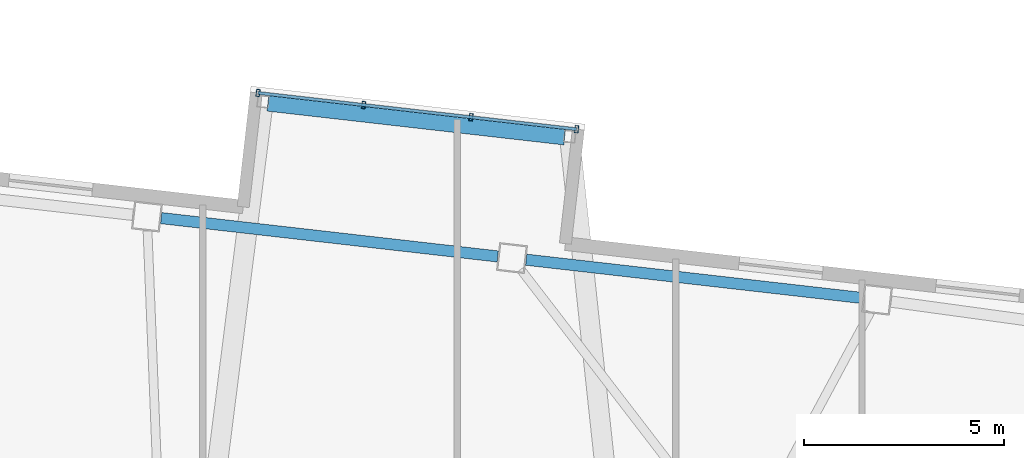
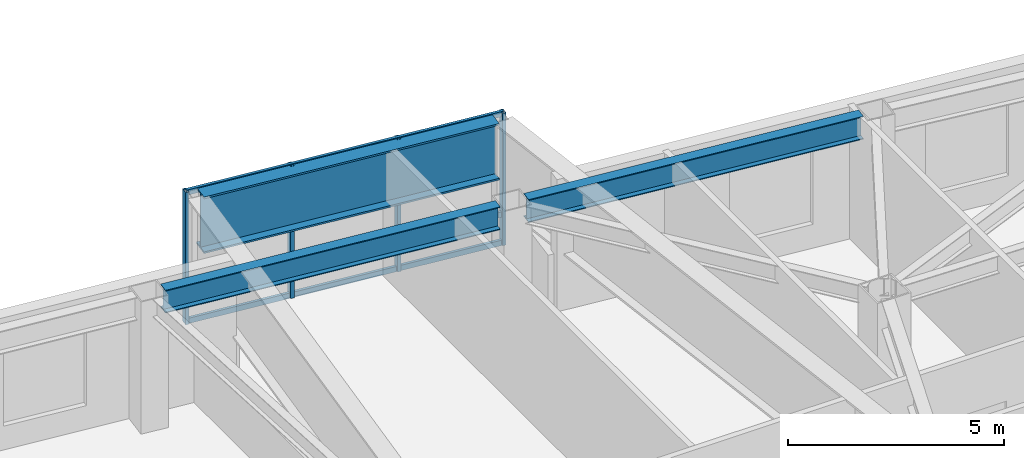
# One storey, part 11 of 23: 7 members, 3 beams, 1 element without a shape of its own.
"""IFC4 building model written with IfcOpenShell, lengths in metres."""

import ifcopenshell
import ifcopenshell.guid

model = None  # the IFC model being written
_history = None  # IfcOwnerHistory: only IFC2X3 demands one
_inside = {}  # id of a spatial element -> (the spatial element, [elements in it])
_under = {}  # id of a project, library or spatial element -> (it, [spatial elements below it])
_declared = {}  # id of a project -> (the project, [libraries it declares])
_typed = {}  # id of a type object -> (the type object, [elements of that type])
_made_of = {}  # id of a material, layer set ... -> (it, [elements and type objects made of it])


def new_model(schema):
    """Start an empty IFC model of exactly this schema.

    Asked for "IFC4X3", IfcOpenShell would pick the latest addendum, in which some entities
    have other attributes; the version numbers below select the first issue.
    IFC2X3 requires an IfcOwnerHistory on every rooted entity: one is made here for all.
    """
    global model, _history
    if schema == "IFC4X3":
        model = ifcopenshell.file(schema_version=(4, 3, 0, 0))
    else:
        model = ifcopenshell.file(schema=schema)
    _inside.clear()
    _under.clear()
    _declared.clear()
    _typed.clear()
    _made_of.clear()
    _history = None
    if model.schema == "IFC2X3":
        org = make("IfcOrganization", Name="unknown")
        user = make(
            "IfcPersonAndOrganization",
            ThePerson=make("IfcPerson", FamilyName="unknown"),
            TheOrganization=org,
        )
        app = make(
            "IfcApplication",
            ApplicationDeveloper=org,
            Version="unknown",
            ApplicationFullName="unknown",
            ApplicationIdentifier="unknown",
        )
        _history = make(
            "IfcOwnerHistory",
            OwningUser=user,
            OwningApplication=app,
            ChangeAction="ADDED",
            CreationDate=0,
        )
    return model


def make(cls, **values):
    """One entity of the class cls with the attributes given. An attribute that is None is left unset."""
    return model.create_entity(
        cls, **{name: value for name, value in values.items() if value is not None}
    )


def rooted(cls, **values):
    """An entity with a GlobalId (a new one), such as an element, a storey or a relation."""
    return make(cls, GlobalId=ifcopenshell.guid.new(), OwnerHistory=_history, **values)


def si_unit(unit_type, name, prefix=None):
    """IfcSIUnit, for example si_unit("LENGTHUNIT", "METRE", prefix="MILLI")."""
    return make("IfcSIUnit", UnitType=unit_type, Prefix=prefix, Name=name)


def assignment(units):
    """IfcUnitAssignment: the units of a project."""
    return None if units is None else make("IfcUnitAssignment", Units=units)


def point(xyz):
    """IfcCartesianPoint."""
    return None if xyz is None else make("IfcCartesianPoint", Coordinates=xyz)


def direction(xyz):
    """IfcDirection."""
    return None if xyz is None else make("IfcDirection", DirectionRatios=xyz)


def frame(location, z_axis=None, x_axis=None):
    """IfcAxis2Placement3D, a coordinate frame: its origin and axes. An axis left out is left unset."""
    return make(
        "IfcAxis2Placement3D",
        Location=point(location),
        Axis=direction(z_axis),
        RefDirection=direction(x_axis),
    )


def frame_2d(location, x_axis=None):
    """IfcAxis2Placement2D, a coordinate frame in the plane: its origin and x axis."""
    return make(
        "IfcAxis2Placement2D", Location=point(location), RefDirection=direction(x_axis)
    )


def origin():
    """The frame at (0, 0, 0) with its axes left unset."""
    return frame((0.0, 0.0, 0.0))


def origin_2d():
    """The frame at (0, 0) in the plane with its x axis left unset."""
    return frame_2d((0.0, 0.0))


def place(relative_to, where):
    """IfcLocalPlacement: puts the frame where relative to a parent placement (None: the world)."""
    return make(
        "IfcLocalPlacement", PlacementRelTo=relative_to, RelativePlacement=where
    )


def context(
    kind, dimensions, precision=None, world=None, true_north=None, identifier=None
):
    """IfcGeometricRepresentationContext, for example the 3D "Model" context."""
    return make(
        "IfcGeometricRepresentationContext",
        ContextIdentifier=identifier,
        ContextType=kind,
        CoordinateSpaceDimension=dimensions,
        Precision=precision,
        WorldCoordinateSystem=world,
        TrueNorth=true_north,
    )


def subcontext(parent, identifier, kind, view, scale=None):
    """IfcGeometricRepresentationSubContext, for example "Body" below "Model"."""
    return make(
        "IfcGeometricRepresentationSubContext",
        ContextIdentifier=identifier,
        ContextType=kind,
        ParentContext=parent,
        TargetScale=scale,
        TargetView=view,
    )


def project(units=None, contexts=None):
    """IfcProject with its units and contexts."""
    return rooted(
        "IfcProject",
        Name="project",
        RepresentationContexts=contexts,
        UnitsInContext=assignment(units),
    )


def spatial(cls, under=None, at=None, **own):
    """A site, building, storey or space (cls), placed at a placement, below another one or the project."""
    s = rooted(cls, ObjectPlacement=at, **own)
    if under is not None:
        _under.setdefault(under.id(), (under, []))[1].append(s)
    return s


def profile(cls, at=None, kind="AREA", **sizes):
    """A parametric profile (cls). Its sizes go by their IFC names, for example OverallWidth=200.0."""
    return make(cls, ProfileType=kind, Position=at, **sizes)


def hollow_rectangle(**sizes):
    """IfcRectangleHollowProfileDef."""
    return profile("IfcRectangleHollowProfileDef", **sizes)


def i_section(**sizes):
    """IfcIShapeProfileDef."""
    return profile("IfcIShapeProfileDef", **sizes)


def extrude(swept, where, along, depth):
    """IfcExtrudedAreaSolid: the profile swept, set in the frame where, extruded along a direction by depth."""
    return make(
        "IfcExtrudedAreaSolid",
        SweptArea=swept,
        Position=where,
        ExtrudedDirection=direction(along),
        Depth=depth,
    )


def shape(context_of_items, identifier, shape_type, items):
    """IfcShapeRepresentation: the items that make up one representation, for example the "Body"."""
    return make(
        "IfcShapeRepresentation",
        ContextOfItems=context_of_items,
        RepresentationIdentifier=identifier,
        RepresentationType=shape_type,
        Items=items,
    )


def material(Name=None, Category=None):
    """IfcMaterial."""
    return make("IfcMaterial", Name=Name, Category=Category)


def layer(
    of_material, thickness, ventilated=None, Name=None, Category=None, Priority=None
):
    """IfcMaterialLayer: one layer of a wall or slab, of a material (None: an air gap)."""
    return make(
        "IfcMaterialLayer",
        Material=of_material,
        LayerThickness=thickness,
        IsVentilated=ventilated,
        Name=Name,
        Category=Category,
        Priority=Priority,
    )


def layer_set(layers, Name=None):
    """IfcMaterialLayerSet."""
    return make("IfcMaterialLayerSet", MaterialLayers=layers, LayerSetName=Name)


def material_profile(
    of_material, cross_section, Name=None, Category=None, Priority=None
):
    """IfcMaterialProfile: a cross section and its material."""
    return make(
        "IfcMaterialProfile",
        Name=Name,
        Material=of_material,
        Profile=cross_section,
        Priority=Priority,
        Category=Category,
    )


def profile_set(profiles, Name=None, composite=None):
    """IfcMaterialProfileSet."""
    return make(
        "IfcMaterialProfileSet",
        Name=Name,
        MaterialProfiles=profiles,
        CompositeProfile=composite,
    )


def made_of(thing, what):
    """Note that an element or type object is made of a material, layer set ...; save() writes the relation."""
    if what is not None:
        _made_of.setdefault(what.id(), (what, []))[1].append(thing)
    return thing


def type_object(cls, material=None, **own):
    """A type object (cls), such as IfcWallType, which elements share."""
    return made_of(rooted(cls, **own), material)


def element(
    cls,
    number,
    at=None,
    inside=None,
    cuts=None,
    type_object=None,
    material=None,
    context=None,
    identifier="Body",
    shape_type=None,
    held_by="IfcProductDefinitionShape",
    body=None,
    shapes=None,
    **own,
):
    """One element of the class cls, such as IfcWall. Its Tag is "e" and its number.

    at: its placement. inside: the storey or other place that contains it. cuts: it is an
    opening in that element (IfcRelVoidsElement). A single representation is given by context,
    identifier, shape_type and body (its items); several are given by shapes. held_by: the class
    of the entity that holds the representations. save() writes the other relations.
    """
    e = rooted(cls, Tag="e%d" % number, ObjectPlacement=at, **own)
    if body is not None:
        shapes = [shape(context, identifier, shape_type, body)]
    if shapes is not None:
        e.Representation = make(held_by, Representations=shapes)
    if inside is not None:
        _inside.setdefault(inside.id(), (inside, []))[1].append(e)
    if cuts is not None:
        rooted(
            "IfcRelVoidsElement", RelatingBuildingElement=cuts, RelatedOpeningElement=e
        )
    if type_object is not None:
        _typed.setdefault(type_object.id(), (type_object, []))[1].append(e)
    return made_of(e, material)


def aggregate(whole, parts):
    """IfcRelAggregates: a whole, such as a stair, and the parts it consists of."""
    return rooted("IfcRelAggregates", RelatingObject=whole, RelatedObjects=parts)


def save(model, path):
    """Write the relations noted so far, then the file.

    IfcRelAggregates (storeys below a building ...), IfcRelContainedInSpatialStructure (elements
    in a storey), IfcRelDefinesByType, IfcRelAssociatesMaterial and IfcRelDeclares: one each for
    every whole, place, type object, material and project.
    """
    for whole, parts in _under.values():
        aggregate(whole, parts)
    for where, things in _inside.values():
        rooted(
            "IfcRelContainedInSpatialStructure",
            RelatedElements=things,
            RelatingStructure=where,
        )
    for kind, things in _typed.values():
        rooted("IfcRelDefinesByType", RelatedObjects=things, RelatingType=kind)
    for what, things in _made_of.values():
        rooted("IfcRelAssociatesMaterial", RelatedObjects=things, RelatingMaterial=what)
    for by, libraries in _declared.values():
        rooted("IfcRelDeclares", RelatingContext=by, RelatedDefinitions=libraries)
    model.write(path)


model = new_model("IFC4")

# Units and contexts
model_context = context("Model", 3, precision=1e-05, world=origin(), true_north=direction((0.0, 1.0)))
body_context = subcontext(model_context, "Body", "Model", "MODEL_VIEW")
ifc_project = project(units=[si_unit("LENGTHUNIT", "METRE"), si_unit("AREAUNIT", "SQUARE_METRE"), si_unit("VOLUMEUNIT", "CUBIC_METRE"), si_unit("PLANEANGLEUNIT", "RADIAN"), si_unit("MASSUNIT", "GRAM", prefix="KILO")], contexts=[model_context])

# Site, building, storey
site_placement = place(None, origin())
site = spatial("IfcSite", under=ifc_project, at=site_placement, CompositionType="ELEMENT")
building_placement = place(site_placement, origin())
building = spatial("IfcBuilding", under=site, at=building_placement, Name="Tavrogorsk Clinical Tower", CompositionType="ELEMENT")
storey_placement = place(building_placement, frame((0.0, 0.0, 113.39990234375)))
storey = spatial("IfcBuildingStorey", under=building, at=storey_placement, Name="L25", CompositionType="ELEMENT", Elevation=113.39990234375)

# Curtain wall, members
ifc_material_1 = material(Name="Anodised aluminium and triple IGU glazing", Category="aluminium")
ifc_layer = layer(ifc_material_1, 0.179931640625)
ifc_layer_set = layer_set([ifc_layer], Name="Anodised aluminium and triple IGU glazing")
curtain_wall_type = type_object("IfcCurtainWallType", Name="CW4_DayroomBox", PredefinedType="NOTDEFINED", material=ifc_layer_set)
curtain_wall_placement = place(storey_placement, origin())
curtain_wall = element("IfcCurtainWall", 1, at=curtain_wall_placement, inside=storey, type_object=curtain_wall_type, Name="L25 Curtain Wall CW-DRB-04-L25", PredefinedType="NOTDEFINED")
ifc_material_2 = material(Name="Anodised aluminium alloy AW-6060", Category="aluminium")
ifc_material_profile_1 = material_profile(ifc_material_2, hollow_rectangle(XDim=0.090087890625, YDim=0.179931640625, WallThickness=0.00634765625, at=origin_2d()), Name="RHS-180x90x6.3")
ifc_profile_set_1 = profile_set([ifc_material_profile_1], Name="Anodised aluminium alloy AW-6060")
member_type_1 = type_object("IfcMemberType", Name="CwMullion_180x90", PredefinedType="MULLION", material=ifc_profile_set_1)
member_1_placement = place(storey_placement, frame((12.463134765625, 24.7314453125, 0.0), z_axis=(0.0, 0.0, 1.0), x_axis=(0.993571856066, -0.113203210352, 0.0)))
member_1 = element("IfcMember", 2, at=member_1_placement, type_object=member_type_1, Name="CW-DRB-04-L25 Mullion 1", PredefinedType="MULLION", context=body_context, shape_type="SweptSolid", body=[
    extrude(hollow_rectangle(XDim=0.090087890625, YDim=0.179931640625, WallThickness=0.00634765625, at=origin_2d()), origin(), (0.0, 0.0, 1.0), 3.739990234375),
])
member_2_placement = place(storey_placement, frame((15.10107421875, 24.430908203125, 0.0), z_axis=(0.0, 0.0, 1.0), x_axis=(0.993571856066, -0.113203210352, 0.0)))
member_2 = element("IfcMember", 3, at=member_2_placement, type_object=member_type_1, Name="CW-DRB-04-L25 Mullion 2", PredefinedType="MULLION", context=body_context, shape_type="SweptSolid", body=[
    extrude(hollow_rectangle(XDim=0.090087890625, YDim=0.179931640625, WallThickness=0.00634765625, at=origin_2d()), origin(), (0.0, 0.0, 1.0), 3.739990234375),
])
member_3_placement = place(storey_placement, frame((17.78369140625, 24.125244140625, 0.0), z_axis=(0.0, 0.0, 1.0), x_axis=(0.993571856066, -0.113203210352, 0.0)))
member_3 = element("IfcMember", 4, at=member_3_placement, type_object=member_type_1, Name="CW-DRB-04-L25 Mullion 3", PredefinedType="MULLION", context=body_context, shape_type="SweptSolid", body=[
    extrude(hollow_rectangle(XDim=0.090087890625, YDim=0.179931640625, WallThickness=0.00634765625, at=origin_2d()), origin(), (0.0, 0.0, 1.0), 3.739990234375),
])
member_4_placement = place(storey_placement, frame((20.421630859375, 23.82470703125, 0.0), z_axis=(0.0, 0.0, 1.0), x_axis=(0.993571856066, -0.113203210352, 0.0)))
member_4 = element("IfcMember", 5, at=member_4_placement, type_object=member_type_1, Name="CW-DRB-04-L25 Mullion 4", PredefinedType="MULLION", context=body_context, shape_type="SweptSolid", body=[
    extrude(hollow_rectangle(XDim=0.090087890625, YDim=0.179931640625, WallThickness=0.00634765625, at=origin_2d()), origin(), (0.0, 0.0, 1.0), 3.739990234375),
])
ifc_material_3 = material(Name="Anodised aluminium alloy AW-6060", Category="aluminium")
ifc_material_profile_2 = material_profile(ifc_material_3, hollow_rectangle(XDim=0.074951171875, YDim=0.14990234375, WallThickness=0.0048828125, at=origin_2d()), Name="RHS-150x75x5")
ifc_profile_set_2 = profile_set([ifc_material_profile_2], Name="Anodised aluminium alloy AW-6060")
member_type_2 = type_object("IfcMemberType", Name="CwTransom_150x75", PredefinedType="USERDEFINED", material=ifc_profile_set_2)
member_5_placement = place(storey_placement, frame((12.463134765625, 24.7314453125, 0.050048828125), z_axis=(0.993572105794, -0.113201018496, 0.0), x_axis=(0.113201018496, 0.993572105794, 0.0)))
member_5 = element("IfcMember", 6, at=member_5_placement, type_object=member_type_2, Name="CW-DRB-04-L25 Transom 1", ObjectType="TRANSOM", PredefinedType="USERDEFINED", context=body_context, shape_type="SweptSolid", body=[
    extrude(hollow_rectangle(XDim=0.074951171875, YDim=0.14990234375, WallThickness=0.0048828125, at=origin_2d()), origin(), (0.0, 0.0, 1.0), 8.010009765625),
])
member_6_placement = place(storey_placement, frame((12.463134765625, 24.7314453125, 0.85009765625), z_axis=(0.993572105794, -0.113201018496, 0.0), x_axis=(0.113201018496, 0.993572105794, 0.0)))
member_6 = element("IfcMember", 7, at=member_6_placement, type_object=member_type_2, Name="CW-DRB-04-L25 Transom 2", ObjectType="TRANSOM", PredefinedType="USERDEFINED", context=body_context, shape_type="SweptSolid", body=[
    extrude(hollow_rectangle(XDim=0.074951171875, YDim=0.14990234375, WallThickness=0.0048828125, at=origin_2d()), origin(), (0.0, 0.0, 1.0), 8.010009765625),
])
member_7_placement = place(storey_placement, frame((12.463134765625, 24.7314453125, 3.690185546875), z_axis=(0.993572105794, -0.113201018496, 0.0), x_axis=(0.113201018496, 0.993572105794, 0.0)))
member_7 = element("IfcMember", 8, at=member_7_placement, type_object=member_type_2, Name="CW-DRB-04-L25 Transom 3", ObjectType="TRANSOM", PredefinedType="USERDEFINED", context=body_context, shape_type="SweptSolid", body=[
    extrude(hollow_rectangle(XDim=0.074951171875, YDim=0.14990234375, WallThickness=0.0048828125, at=origin_2d()), origin(), (0.0, 0.0, 1.0), 8.010009765625),
])
aggregate(curtain_wall, [member_1, member_2, member_3, member_4, member_5, member_6, member_7])

# Beams
ifc_material_4 = material(Name="Structural steel S390", Category="steel")
ifc_material_profile_3 = material_profile(ifc_material_4, i_section(OverallWidth=0.280029296875, OverallDepth=0.64990234375, WebThickness=0.01611328125, FlangeThickness=0.02490234375, at=origin_2d()), Name="B-650x280x16x25")
ifc_profile_set_3 = profile_set([ifc_material_profile_3], Name="Structural steel S390")
beam_type_1 = type_object("IfcBeamType", Name="SpandrelBeam_B650", PredefinedType="SPANDREL", material=ifc_profile_set_3)
beam_1_placement = place(storey_placement, frame((27.5703125, 19.608154296875, 3.4150390625), z_axis=(-0.993569819641, 0.113221082395, 0.0), x_axis=(-0.113221082395, -0.993569819641, 0.0)))
element("IfcBeam", 9, at=beam_1_placement, inside=storey, type_object=beam_type_1, Name="L25 Perimeter Spandrel N2-N3", PredefinedType="SPANDREL", context=body_context, shape_type="SweptSolid", body=[
    extrude(i_section(OverallWidth=0.280029296875, OverallDepth=0.64990234375, WebThickness=0.01611328125, FlangeThickness=0.02490234375, at=origin_2d()), origin(), (0.0, 0.0, 1.0), 8.46142578125),
])
beam_2_placement = place(storey_placement, frame((18.451904296875, 20.647216796875, 3.4150390625), z_axis=(-0.99357232562, 0.113199089054, 0.0), x_axis=(-0.113199089054, -0.99357232562, 0.0)))
element("IfcBeam", 10, at=beam_2_placement, inside=storey, type_object=beam_type_1, Name="L25 Perimeter Spandrel N3-N4", PredefinedType="SPANDREL", context=body_context, shape_type="SweptSolid", body=[
    extrude(i_section(OverallWidth=0.280029296875, OverallDepth=0.64990234375, WebThickness=0.01611328125, FlangeThickness=0.02490234375, at=origin_2d()), origin(), (0.0, 0.0, 1.0), 8.4609375),
])
ifc_material_5 = material(Name="Structural steel S440", Category="steel")
ifc_material_profile_4 = material_profile(ifc_material_5, i_section(OverallWidth=0.449951171875, OverallDepth=1.60009765625, WebThickness=0.031982421875, FlangeThickness=0.050048828125, at=origin_2d()), Name="DK-1600x450x32x50")
ifc_profile_set_4 = profile_set([ifc_material_profile_4], Name="Structural steel S440")
beam_type_2 = type_object("IfcBeamType", Name="TransferGirder_DK1600", PredefinedType="USERDEFINED", material=ifc_profile_set_4)
beam_3_placement = place(storey_placement, frame((12.713623046875, 24.50146484375, 2.940185546875), z_axis=(0.993572168801, -0.113200465477, 0.0), x_axis=(0.113200465477, 0.993572168801, 0.0)))
element("IfcBeam", 11, at=beam_3_placement, inside=storey, type_object=beam_type_2, Name="L25 Day-Room Front Edge Beam DRB-04", ObjectType="GIRDER", PredefinedType="USERDEFINED", context=body_context, shape_type="SweptSolid", body=[
    extrude(i_section(OverallWidth=0.449951171875, OverallDepth=1.60009765625, WebThickness=0.031982421875, FlangeThickness=0.050048828125, at=origin_2d()), origin(), (0.0, 0.0, 1.0), 7.4599609375),
])

save(model, "model.ifc")
